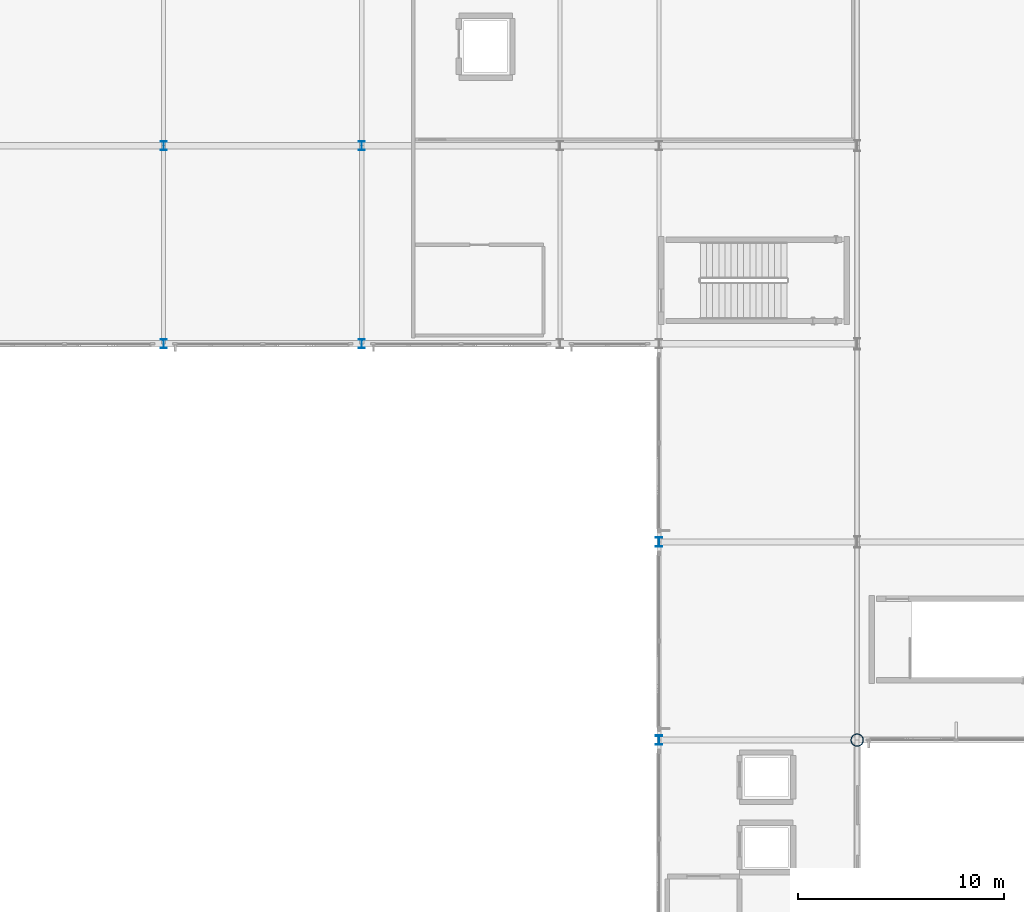
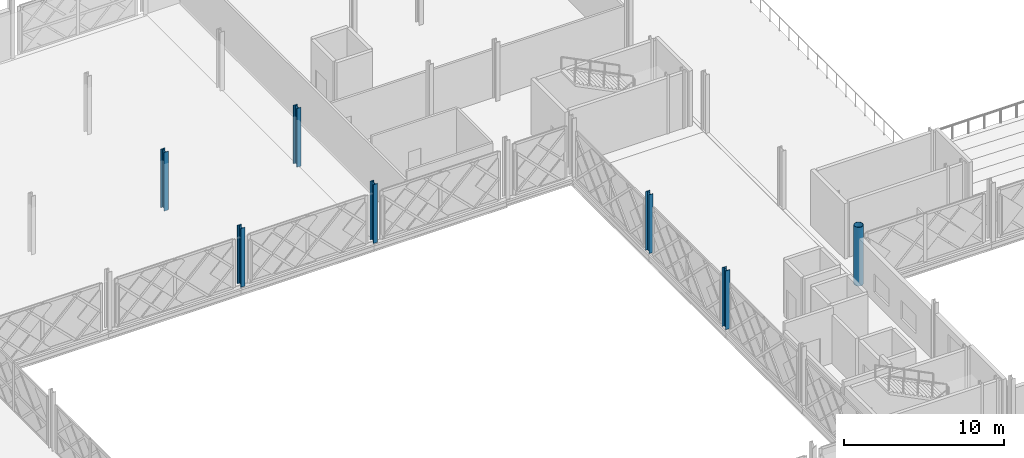
# One storey, part 12 of 101: 7 columns.
"""IFC4 building model written with IfcOpenShell, lengths in metres."""

from ifc_helpers import new_model, si_unit, direction, frame, origin, origin_2d, place, context, subcontext, project, spatial, hollow_circle, i_section, extrude, material, material_profile, profile_set, type_object, element, save


model = new_model("IFC4")

# Units and contexts
model_context = context("Model", 3, precision=1e-05, world=origin(), true_north=direction((0.0, 1.0)))
body_context = subcontext(model_context, "Body", "Model", "MODEL_VIEW")
ifc_project = project(units=[si_unit("LENGTHUNIT", "METRE"), si_unit("AREAUNIT", "SQUARE_METRE"), si_unit("VOLUMEUNIT", "CUBIC_METRE"), si_unit("PLANEANGLEUNIT", "RADIAN"), si_unit("MASSUNIT", "GRAM", prefix="KILO")], contexts=[model_context])

# Site, building, storey
site_placement = place(None, origin())
site = spatial("IfcSite", under=ifc_project, at=site_placement, CompositionType="ELEMENT")
building_placement = place(site_placement, origin())
building = spatial("IfcBuilding", under=site, at=building_placement, Name="Zevrakil Square Congress Hotel", CompositionType="ELEMENT")
storey_placement = place(building_placement, frame((0.0, 0.0, 5.39990234375)))
storey = spatial("IfcBuildingStorey", under=building, at=storey_placement, Name="L02", CompositionType="ELEMENT", Elevation=5.39990234375)

# Columns
ifc_material_1 = material(Name="Steel S355", Category="steel")
ifc_material_profile_1 = material_profile(ifc_material_1, hollow_circle(Radius=0.304931640625, WallThickness=0.02490234375, at=origin_2d()), Name="CHS 610x25")
ifc_profile_set_1 = profile_set([ifc_material_profile_1], Name="Steel S355")
column_type_1 = type_object("IfcColumnType", Name="COL-CHS610", PredefinedType="COLUMN", material=ifc_profile_set_1)
column_placement = place(storey_placement, frame((117.60009765625, 64.800048828125, 0.0), z_axis=(0.0, 0.0, 1.0), x_axis=(1.0, 0.0, 0.0)))
element("IfcColumn", 1, at=column_placement, inside=storey, type_object=column_type_1, Name="L02 column C-188", PredefinedType="COLUMN", context=body_context, shape_type="SweptSolid", body=[
    extrude(hollow_circle(Radius=0.304931640625, WallThickness=0.02490234375, at=origin_2d()), origin(), (0.0, 0.0, 1.0), 4.5),
])
ifc_material_2 = material(Name="Steel S355", Category="steel")
ifc_material_profile_2 = material_profile(ifc_material_2, i_section(OverallWidth=0.300048828125, OverallDepth=0.449951171875, WebThickness=0.013916015625, FlangeThickness=0.02587890625, FilletRadius=0.027099609375, at=origin_2d()), Name="HEB 450")
ifc_profile_set_2 = profile_set([ifc_material_profile_2], Name="Steel S355")
column_type_2 = type_object("IfcColumnType", Name="COL-HEB450", PredefinedType="COLUMN", material=ifc_profile_set_2)
for number, where, z_axis, x_axis, name in (
    (2, (84.0, 84.0, 0.0), (0.0, 0.0, 1.0), (1.0, 0.0, 0.0), "L02 column C-132"),
    (3, (84.0, 93.60009765625, 0.0), (0.0, 0.0, 1.0), (1.0, 0.0, 0.0), "L02 column C-133"),
    (4, (93.60009765625, 84.0, 0.0), (0.0, 0.0, 1.0), (1.0, 0.0, 0.0), "L02 column C-144"),
    (5, (93.60009765625, 93.60009765625, 0.0), (0.0, 0.0, 1.0), (1.0, 0.0, 0.0), "L02 column C-145"),
    (6, (108.0, 64.800048828125, 0.0), (0.0, 0.0, 1.0), (1.0, 0.0, 0.0), "L02 column C-170"),
    (7, (108.0, 74.39990234375, 0.0), (0.0, 0.0, 1.0), (1.0, 0.0, 0.0), "L02 column C-171"),
):
    element("IfcColumn", number, at=place(storey_placement, frame(where, z_axis=z_axis, x_axis=x_axis)), inside=storey, type_object=column_type_2, Name=name, PredefinedType="COLUMN", context=body_context, shape_type="SweptSolid", body=[
        extrude(i_section(OverallWidth=0.300048828125, OverallDepth=0.449951171875, WebThickness=0.013916015625, FlangeThickness=0.02587890625, FilletRadius=0.027099609375, at=origin_2d()), origin(), (0.0, 0.0, 1.0), 4.5),
    ])

save(model, "model.ifc")
